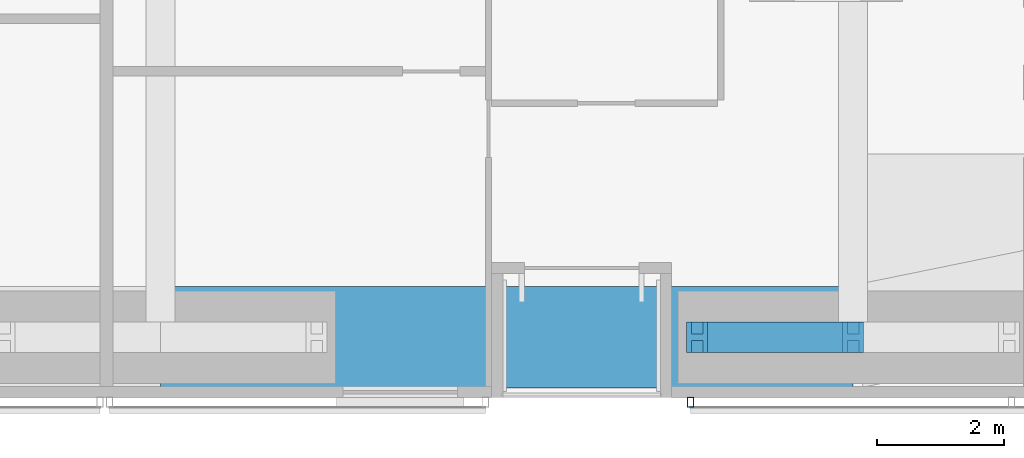
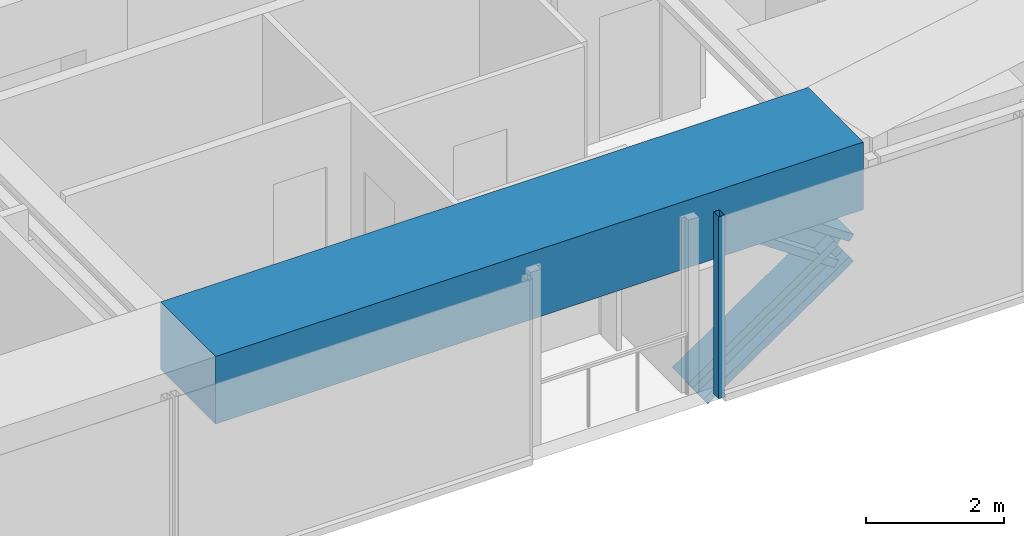
# One storey, part 5 of 24: 3 members, 1 beam, 1 element without a shape of its own.
"""IFC4 building model written with IfcOpenShell, lengths in metres."""

from ifc_helpers import new_model, si_unit, direction, frame, origin, origin_2d, place, context, subcontext, project, spatial, rectangle, hollow_rectangle, i_section, extrude, material, material_profile, profile_set, type_object, element, aggregate, save


model = new_model("IFC4")

# Units and contexts
model_context = context("Model", 3, precision=1e-05, world=origin(), true_north=direction((0.0, 1.0)))
body_context = subcontext(model_context, "Body", "Model", "MODEL_VIEW")
ifc_project = project(units=[si_unit("LENGTHUNIT", "METRE"), si_unit("AREAUNIT", "SQUARE_METRE"), si_unit("VOLUMEUNIT", "CUBIC_METRE"), si_unit("PLANEANGLEUNIT", "RADIAN"), si_unit("MASSUNIT", "GRAM", prefix="KILO")], contexts=[model_context])

# Site, building, storey
site_placement = place(None, origin())
site = spatial("IfcSite", under=ifc_project, at=site_placement, CompositionType="ELEMENT")
building_placement = place(site_placement, origin())
building = spatial("IfcBuilding", under=site, at=building_placement, Name="Jalousie Tower", CompositionType="ELEMENT")
storey_placement = place(building_placement, frame((0.0, 0.0, 128.300048828125)))
storey = spatial("IfcBuildingStorey", under=building, at=storey_placement, Name="L35", CompositionType="ELEMENT", Elevation=128.300048828125)

# Members
ifc_material_1 = material(Name="Steel ASTM A992 Grade 50", Category="steel")
ifc_material_profile_1 = material_profile(ifc_material_1, i_section(OverallWidth=0.472412109375, OverallDepth=0.5791015625, WebThickness=0.094970703125, FlangeThickness=0.1298828125, at=origin_2d()), Name="W14X808")
ifc_profile_set_1 = profile_set([ifc_material_profile_1], Name="Steel ASTM A992 Grade 50")
member_type_1 = type_object("IfcMemberType", Name="PERIMETER BRACE W14X808", PredefinedType="BRACE", material=ifc_profile_set_1)
for number, where, z_axis, x_axis, name in (
    (1, (36.175048828125, 0.949951171875, -0.60009765625), (0.825500916831, 0.0, 0.564400776321), (0.0, 1.0, 0.0), "Perimeter brace 04 L35 part 1"),
    (2, (38.625, 0.949951171875, 1.074951171875), (-0.825500916831, 0.0, 0.564400776321), (0.0, -1.0, 0.0), "Perimeter brace 04 L35 part 4"),
):
    element("IfcMember", number, at=place(storey_placement, frame(where, z_axis=z_axis, x_axis=x_axis)), inside=storey, type_object=member_type_1, Name=name, PredefinedType="BRACE", context=body_context, shape_type="SweptSolid", body=[
        extrude(i_section(OverallWidth=0.472412109375, OverallDepth=0.5791015625, WebThickness=0.094970703125, FlangeThickness=0.1298828125, at=origin_2d()), origin(), (0.0, 0.0, 1.0), 2.9677734375),
    ])

# Beam
ifc_material_2 = material(Name="Concrete f'c 40 MPa", Category="concrete")
ifc_material_profile_2 = material_profile(ifc_material_2, rectangle(XDim=1.60009765625, YDim=1.199951171875, at=origin_2d()), Name="RC 1600x1200")
ifc_profile_set_2 = profile_set([ifc_material_profile_2], Name="Concrete f'c 40 MPa")
beam_type = type_object("IfcBeamType", Name="RC BEAM 1600x1200", PredefinedType="BEAM", material=ifc_profile_set_2)
beam_placement = place(storey_placement, frame((27.75, 0.949951171875, 2.75), z_axis=(1.0, 0.0, 0.0), x_axis=(0.0, 1.0, 0.0)))
element("IfcBeam", 3, at=beam_placement, inside=storey, type_object=beam_type, Name="Edge band beam 03-04 under L36", PredefinedType="BEAM", context=body_context, shape_type="SweptSolid", body=[
    extrude(rectangle(XDim=1.60009765625, YDim=1.199951171875, at=origin_2d()), origin(), (0.0, 0.0, 1.0), 10.875),
])

# Curtain wall, member
ifc_material_3 = material(Name="Perforated aluminium sheet", Category="aluminium")
curtain_wall_type = type_object("IfcCurtainWallType", Name="SOLAR SCREEN SS-1", PredefinedType="USERDEFINED", material=ifc_material_3)
curtain_wall_placement = place(storey_placement, origin())
curtain_wall = element("IfcCurtainWall", 4, at=curtain_wall_placement, inside=storey, type_object=curtain_wall_type, Name="Solar screen L35", ObjectType="SOLAR SCREEN SS-1", PredefinedType="USERDEFINED")
ifc_material_4 = material(Name="Steel ASTM A500 Grade C", Category="steel")
ifc_material_profile_3 = material_profile(ifc_material_4, hollow_rectangle(XDim=0.1015625, YDim=0.15234375, WallThickness=0.00634765625, at=origin_2d()), Name="HSS6X4X1/4")
ifc_profile_set_3 = profile_set([ifc_material_profile_3], Name="Steel ASTM A500 Grade C")
member_type_2 = type_object("IfcMemberType", Name="SOLAR SCREEN SS-1 MULLION", PredefinedType="MULLION", material=ifc_profile_set_3)
member_placement = place(storey_placement, frame((36.074951171875, -0.0712890625, -0.1201171875), z_axis=(0.0, 0.0, 1.0), x_axis=(1.0, 0.0, 0.0)))
member = element("IfcMember", 5, at=member_placement, type_object=member_type_2, Name="SS1 post 1", PredefinedType="MULLION", context=body_context, shape_type="SweptSolid", body=[
    extrude(hollow_rectangle(XDim=0.1015625, YDim=0.15234375, WallThickness=0.00634765625, at=origin_2d()), origin(), (0.0, 0.0, 1.0), 3.22998046875),
])
aggregate(curtain_wall, [member])

save(model, "model.ifc")
